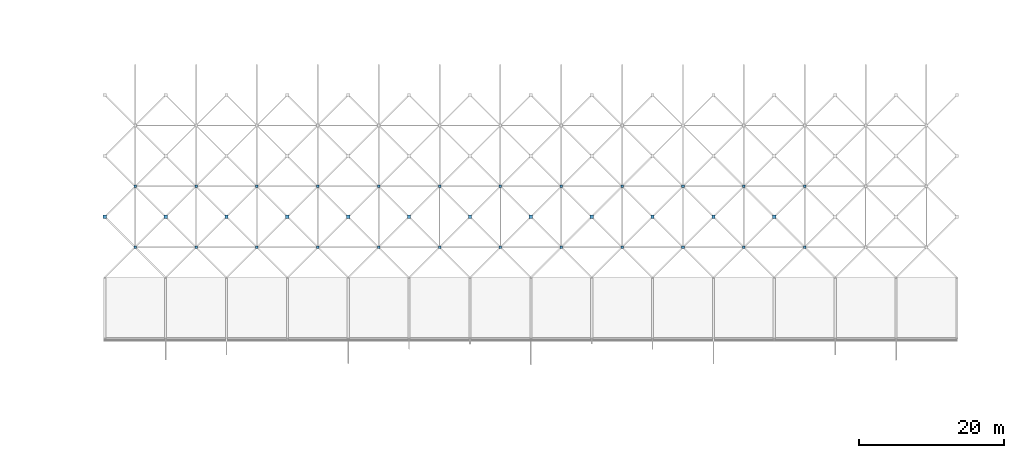
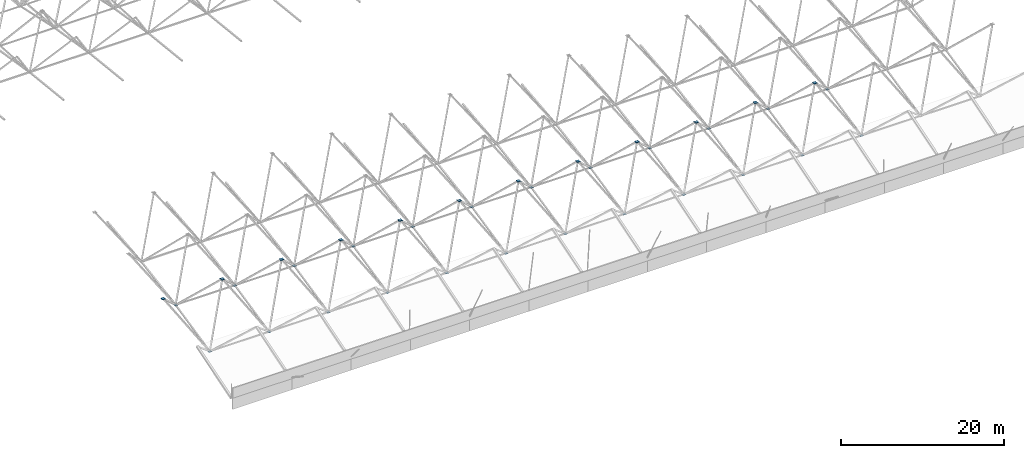
# One storey, part 58 of 85: 36 discrete accessories.
"""IFC4 building model written with IfcOpenShell, lengths in metres."""

from ifc_helpers import new_model, si_unit, direction, frame, origin, origin_2d, place, context, subcontext, project, spatial, rectangle, extrude, material, layer, layer_set, type_object, element, save


model = new_model("IFC4")

# Units and contexts
model_context = context("Model", 3, precision=1e-05, world=origin(), true_north=direction((0.0, 1.0)))
body_context = subcontext(model_context, "Body", "Model", "MODEL_VIEW")
ifc_project = project(units=[si_unit("LENGTHUNIT", "METRE"), si_unit("AREAUNIT", "SQUARE_METRE"), si_unit("VOLUMEUNIT", "CUBIC_METRE"), si_unit("PLANEANGLEUNIT", "RADIAN"), si_unit("MASSUNIT", "GRAM", prefix="KILO")], contexts=[model_context])

# Site, building, storey
site_placement = place(None, origin())
site = spatial("IfcSite", under=ifc_project, at=site_placement, CompositionType="ELEMENT")
building_placement = place(site_placement, origin())
building = spatial("IfcBuilding", under=site, at=building_placement, Name="Rain Tree Exposition and Congress Centre", CompositionType="ELEMENT")
storey_placement = place(building_placement, frame((0.0, 0.0, 15.0)))
storey = spatial("IfcBuildingStorey", under=building, at=storey_placement, Name="L03", CompositionType="ELEMENT", Elevation=15.0)

# Discrete accessories
ifc_material_1 = material(Name="Steel plate S355J2", Category="steel")
ifc_layer_1 = layer(ifc_material_1, 0.02001953125)
ifc_layer_set_1 = layer_set([ifc_layer_1], Name="Steel plate S355J2")
discrete_accessory_type_1 = type_object("IfcDiscreteAccessoryType", Name="Brace node plate 350x350x20", PredefinedType="BRACKET", material=ifc_layer_set_1)
for number, where, z_axis, x_axis, name in (
    (1, (12.60009765625, 113.39990234375, 0.72265625), (0.0, 0.0, 1.0), (1.0, 0.0, 0.0), "Brace node plate 350"),
    (2, (21.0, 113.39990234375, 0.72265625), (0.0, 0.0, 1.0), (1.0, 0.0, 0.0), "Brace node plate 350"),
    (3, (29.39990234375, 113.39990234375, 0.72265625), (0.0, 0.0, 1.0), (1.0, 0.0, 0.0), "Brace node plate 350"),
    (4, (37.800048828125, 113.39990234375, 0.72265625), (0.0, 0.0, 1.0), (1.0, 0.0, 0.0), "Brace node plate 350"),
    (5, (46.199951171875, 113.39990234375, 0.72265625), (0.0, 0.0, 1.0), (1.0, 0.0, 0.0), "Brace node plate 350"),
    (6, (54.60009765625, 113.39990234375, 0.72265625), (0.0, 0.0, 1.0), (1.0, 0.0, 0.0), "Brace node plate 350"),
    (7, (63.0, 113.39990234375, 0.72265625), (0.0, 0.0, 1.0), (1.0, 0.0, 0.0), "Brace node plate 350"),
    (8, (71.39990234375, 113.39990234375, 0.72265625), (0.0, 0.0, 1.0), (1.0, 0.0, 0.0), "Brace node plate 350"),
    (9, (79.800048828125, 113.39990234375, 0.72265625), (0.0, 0.0, 1.0), (1.0, 0.0, 0.0), "Brace node plate 350"),
    (10, (88.199951171875, 113.39990234375, 0.72265625), (0.0, 0.0, 1.0), (1.0, 0.0, 0.0), "Brace node plate 350"),
    (11, (96.60009765625, 113.39990234375, 0.72265625), (0.0, 0.0, 1.0), (1.0, 0.0, 0.0), "Brace node plate 350"),
    (12, (105.0, 113.39990234375, 0.72265625), (0.0, 0.0, 1.0), (1.0, 0.0, 0.0), "Brace node plate 350"),
    (13, (12.60009765625, 121.800048828125, 2.58349609375), (0.0, 0.0, 1.0), (1.0, 0.0, 0.0), "Brace node plate 350"),
    (14, (21.0, 121.800048828125, 2.58349609375), (0.0, 0.0, 1.0), (1.0, 0.0, 0.0), "Brace node plate 350"),
    (15, (29.39990234375, 121.800048828125, 2.58349609375), (0.0, 0.0, 1.0), (1.0, 0.0, 0.0), "Brace node plate 350"),
    (16, (37.800048828125, 121.800048828125, 2.58349609375), (0.0, 0.0, 1.0), (1.0, 0.0, 0.0), "Brace node plate 350"),
    (17, (46.199951171875, 121.800048828125, 2.58349609375), (0.0, 0.0, 1.0), (1.0, 0.0, 0.0), "Brace node plate 350"),
    (18, (54.60009765625, 121.800048828125, 2.58349609375), (0.0, 0.0, 1.0), (1.0, 0.0, 0.0), "Brace node plate 350"),
    (19, (63.0, 121.800048828125, 2.58349609375), (0.0, 0.0, 1.0), (1.0, 0.0, 0.0), "Brace node plate 350"),
    (20, (71.39990234375, 121.800048828125, 2.58349609375), (0.0, 0.0, 1.0), (1.0, 0.0, 0.0), "Brace node plate 350"),
    (21, (79.800048828125, 121.800048828125, 2.58349609375), (0.0, 0.0, 1.0), (1.0, 0.0, 0.0), "Brace node plate 350"),
    (22, (88.199951171875, 121.800048828125, 2.58349609375), (0.0, 0.0, 1.0), (1.0, 0.0, 0.0), "Brace node plate 350"),
    (23, (96.60009765625, 121.800048828125, 2.58349609375), (0.0, 0.0, 1.0), (1.0, 0.0, 0.0), "Brace node plate 350"),
    (24, (105.0, 121.800048828125, 2.58349609375), (0.0, 0.0, 1.0), (1.0, 0.0, 0.0), "Brace node plate 350"),
):
    element("IfcDiscreteAccessory", number, at=place(storey_placement, frame(where, z_axis=z_axis, x_axis=x_axis)), inside=storey, type_object=discrete_accessory_type_1, Name=name, PredefinedType="BRACKET", context=body_context, shape_type="SweptSolid", body=[
        extrude(rectangle(XDim=0.35009765625, YDim=0.35009765625, at=origin_2d()), origin(), (0.0, 0.0, 1.0), 0.02001953125),
    ])
ifc_material_2 = material(Name="Steel plate S355J2", Category="steel")
ifc_layer_2 = layer(ifc_material_2, 0.02001953125)
ifc_layer_set_2 = layer_set([ifc_layer_2], Name="Steel plate S355J2")
discrete_accessory_type_2 = type_object("IfcDiscreteAccessoryType", Name="Brace node plate 450x450x20", PredefinedType="BRACKET", material=ifc_layer_set_2)
for number, where, z_axis, x_axis, name in (
    (25, (8.39990234375, 117.60009765625, 7.564208984375), (0.0, 0.0, 1.0), (1.0, 0.0, 0.0), "Brace node plate 450"),
    (26, (16.800048828125, 117.60009765625, 7.564208984375), (0.0, 0.0, 1.0), (1.0, 0.0, 0.0), "Brace node plate 450"),
    (27, (25.199951171875, 117.60009765625, 7.564208984375), (0.0, 0.0, 1.0), (1.0, 0.0, 0.0), "Brace node plate 450"),
    (28, (33.60009765625, 117.60009765625, 7.564208984375), (0.0, 0.0, 1.0), (1.0, 0.0, 0.0), "Brace node plate 450"),
    (29, (42.0, 117.60009765625, 7.564208984375), (0.0, 0.0, 1.0), (1.0, 0.0, 0.0), "Brace node plate 450"),
    (30, (50.39990234375, 117.60009765625, 7.564208984375), (0.0, 0.0, 1.0), (1.0, 0.0, 0.0), "Brace node plate 450"),
    (31, (58.800048828125, 117.60009765625, 7.564208984375), (0.0, 0.0, 1.0), (1.0, 0.0, 0.0), "Brace node plate 450"),
    (32, (67.199951171875, 117.60009765625, 7.564208984375), (0.0, 0.0, 1.0), (1.0, 0.0, 0.0), "Brace node plate 450"),
    (33, (75.60009765625, 117.60009765625, 7.564208984375), (0.0, 0.0, 1.0), (1.0, 0.0, 0.0), "Brace node plate 450"),
    (34, (84.0, 117.60009765625, 7.564208984375), (0.0, 0.0, 1.0), (1.0, 0.0, 0.0), "Brace node plate 450"),
    (35, (92.39990234375, 117.60009765625, 7.564208984375), (0.0, 0.0, 1.0), (1.0, 0.0, 0.0), "Brace node plate 450"),
    (36, (100.800048828125, 117.60009765625, 7.564208984375), (0.0, 0.0, 1.0), (1.0, 0.0, 0.0), "Brace node plate 450"),
):
    element("IfcDiscreteAccessory", number, at=place(storey_placement, frame(where, z_axis=z_axis, x_axis=x_axis)), inside=storey, type_object=discrete_accessory_type_2, Name=name, PredefinedType="BRACKET", context=body_context, shape_type="SweptSolid", body=[
        extrude(rectangle(XDim=0.449951171875, YDim=0.449951171875, at=origin_2d()), origin(), (0.0, 0.0, 1.0), 0.02001953125),
    ])

save(model, "model.ifc")
